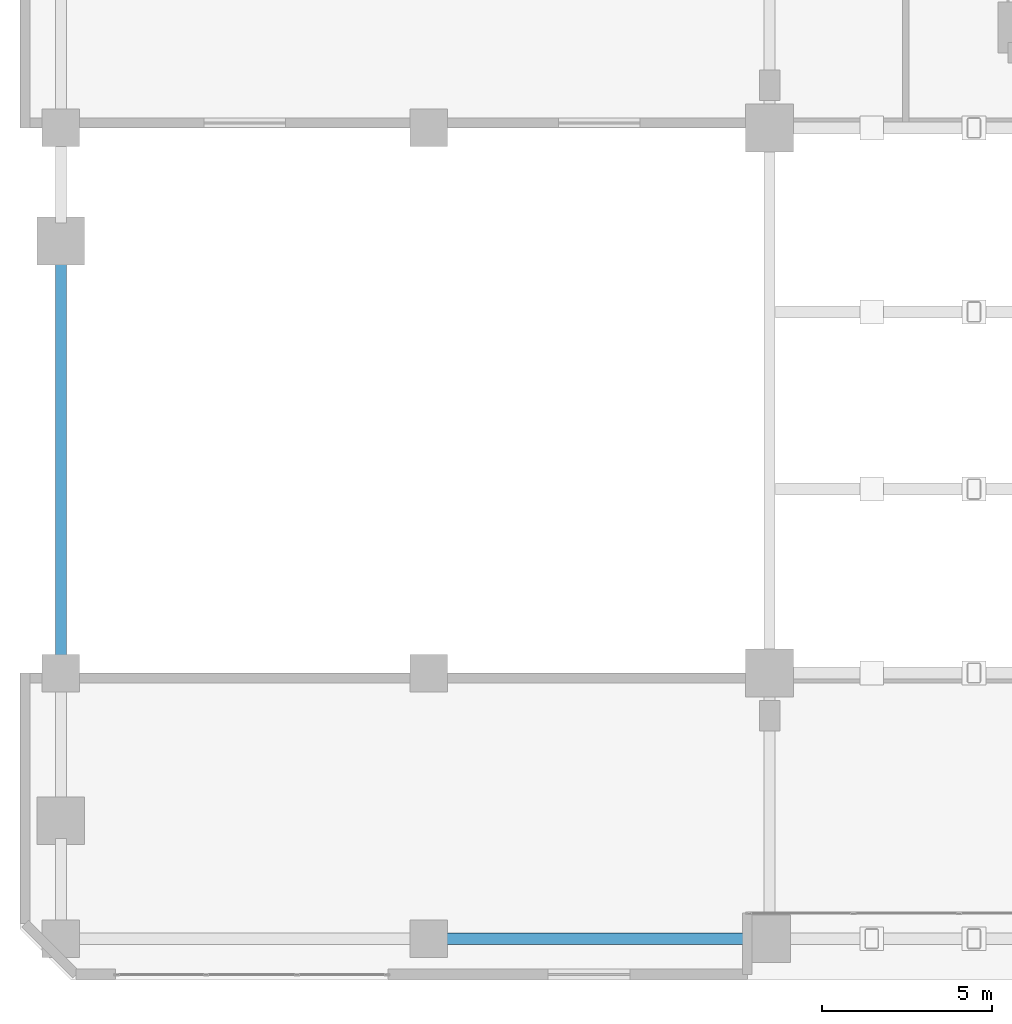
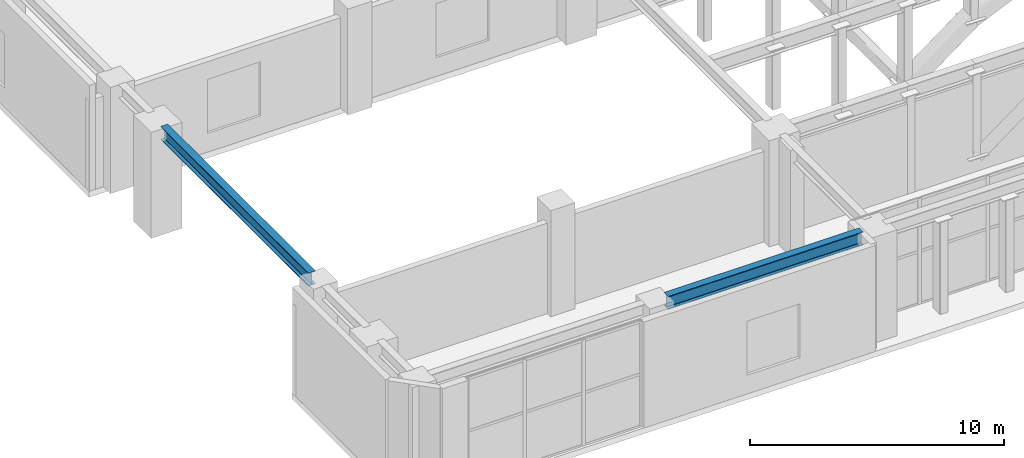
# One storey, part 3 of 32: 2 beams.
"""IFC4 building model written with IfcOpenShell, lengths in metres."""

from ifc_helpers import new_model, si_unit, direction, frame, origin, origin_2d, place, context, subcontext, project, spatial, i_section, extrude, material, material_profile, profile_set, type_object, element, save


model = new_model("IFC4")

# Units and contexts
model_context = context("Model", 3, precision=1e-05, world=origin(), true_north=direction((0.0, 1.0)))
body_context = subcontext(model_context, "Body", "Model", "MODEL_VIEW")
ifc_project = project(units=[si_unit("LENGTHUNIT", "METRE"), si_unit("AREAUNIT", "SQUARE_METRE"), si_unit("VOLUMEUNIT", "CUBIC_METRE"), si_unit("PLANEANGLEUNIT", "RADIAN"), si_unit("MASSUNIT", "GRAM", prefix="KILO")], contexts=[model_context])

# Site, building, storey
site_placement = place(None, origin())
site = spatial("IfcSite", under=ifc_project, at=site_placement, CompositionType="ELEMENT")
building_placement = place(site_placement, origin())
building = spatial("IfcBuilding", under=site, at=building_placement, Name="Sarneth Arch Tower", CompositionType="ELEMENT")
storey_placement = place(building_placement, frame((0.0, 0.0, 11.39990234375)))
storey = spatial("IfcBuildingStorey", under=building, at=storey_placement, Name="L02", CompositionType="ELEMENT", Elevation=11.39990234375)

# Beams
ifc_material = material(Name="Steel S355", Category="steel")
ifc_material_profile = material_profile(ifc_material, i_section(OverallWidth=0.3291015625, OverallDepth=0.635009765625, WebThickness=0.017822265625, FlangeThickness=0.031005859375, FilletRadius=0.01904296875, at=origin_2d()), Name="W610x241")
ifc_profile_set = profile_set([ifc_material_profile], Name="Steel S355")
beam_type = type_object("IfcBeamType", Name="BM-POD-610", PredefinedType="BEAM", material=ifc_profile_set)
beam_1_placement = place(storey_placement, frame((20.52001953125, 9.199951171875, 4.78271484375), z_axis=(1.0, 0.0, 0.0), x_axis=(0.0, 1.0, 0.0)))
element("IfcBeam", 1, at=beam_1_placement, inside=storey, type_object=beam_type, Name="L02 Podium PS girder 2", PredefinedType="BEAM", context=body_context, shape_type="SweptSolid", body=[
    extrude(i_section(OverallWidth=0.3291015625, OverallDepth=0.635009765625, WebThickness=0.017822265625, FlangeThickness=0.031005859375, FilletRadius=0.01904296875, at=origin_2d()), origin(), (0.0, 0.0, 1.0), 8.87548828125),
])
beam_2_placement = place(storey_placement, frame((9.199951171875, 17.52001953125, 4.78271484375), z_axis=(0.0, 1.0, 0.0), x_axis=(-1.0, 0.0, 0.0)))
element("IfcBeam", 2, at=beam_2_placement, inside=storey, type_object=beam_type, Name="L02 Podium PW girder 3", PredefinedType="BEAM", context=body_context, shape_type="SweptSolid", body=[
    extrude(i_section(OverallWidth=0.3291015625, OverallDepth=0.635009765625, WebThickness=0.017822265625, FlangeThickness=0.031005859375, FilletRadius=0.01904296875, at=origin_2d()), origin(), (0.0, 0.0, 1.0), 11.64208984375),
])

save(model, "model.ifc")
